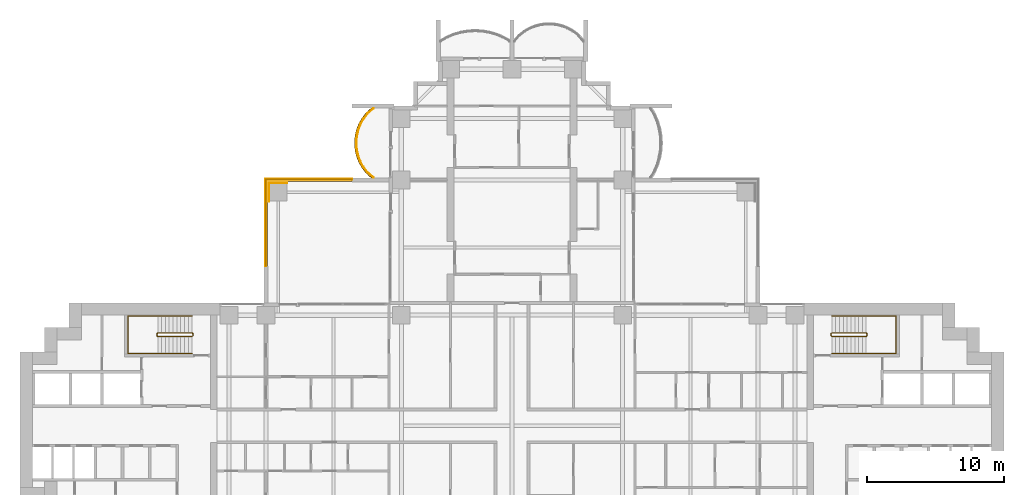
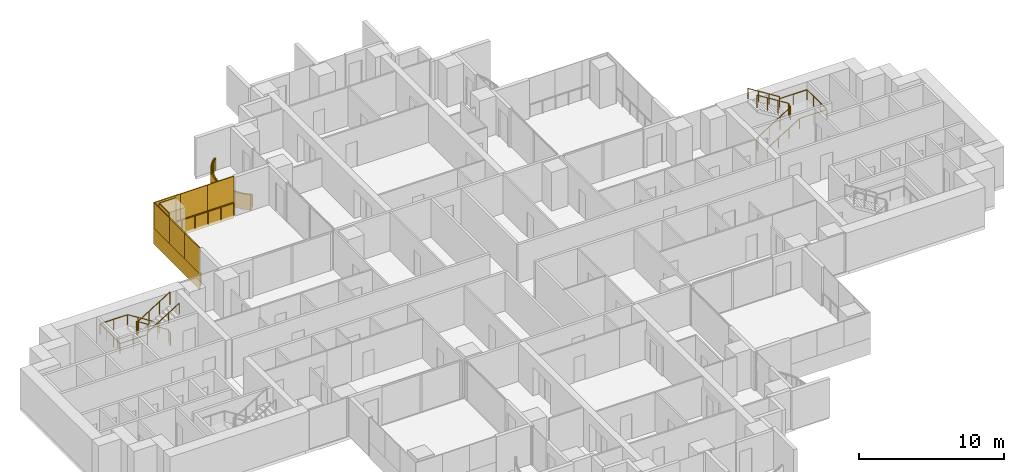
# One storey, part 19 of 20: 10 coverings, 6 railings.
"""IFC4 building model written with IfcOpenShell, lengths in metres."""

from ifc_helpers import new_model, si_unit, direction, frame, origin, origin_2d, place, context, subcontext, project, spatial, polyline, rectangle, outline, extrude, material, layer, layer_set, type_object, element, save


model = new_model("IFC4")

# Units and contexts
model_context = context("Model", 3, precision=1e-05, world=origin(), true_north=direction((0.0, 1.0)))
body_context = subcontext(model_context, "Body", "Model", "MODEL_VIEW")
ifc_project = project(units=[si_unit("LENGTHUNIT", "METRE"), si_unit("AREAUNIT", "SQUARE_METRE"), si_unit("VOLUMEUNIT", "CUBIC_METRE"), si_unit("PLANEANGLEUNIT", "RADIAN"), si_unit("MASSUNIT", "GRAM", prefix="KILO")], contexts=[model_context])

# Site, building, storey
site_placement = place(None, origin())
site = spatial("IfcSite", under=ifc_project, at=site_placement, CompositionType="ELEMENT")
building_placement = place(site_placement, origin())
building = spatial("IfcBuilding", under=site, at=building_placement, Name="Perihelion Cross Residences", CompositionType="ELEMENT")
storey_placement = place(building_placement, frame((0.0, 0.0, 78.5)))
storey = spatial("IfcBuildingStorey", under=building, at=storey_placement, Name="L17", CompositionType="ELEMENT", Elevation=78.5)

# Covering
ifc_material_1 = material(Name="Bronze anodised aluminium", Category="aluminium")
ifc_layer_1 = layer(ifc_material_1, 0.070068359375)
ifc_layer_set_1 = layer_set([ifc_layer_1], Name="Balcony fascia 1300")
covering_type_1 = type_object("IfcCoveringType", Name="Balcony fascia 1300", PredefinedType="CLADDING", material=ifc_layer_set_1)
covering_1_placement = place(storey_placement, frame((0.0, 0.0, -0.199951171875)))
element("IfcCovering", 1, at=covering_1_placement, inside=storey, type_object=covering_type_1, Name="Fascia BF1 L17 north side west bay 1", PredefinedType="CLADDING", context=body_context, shape_type="SweptSolid", body=[
    extrude(outline(polyline([(-10.674072265625, 22.90478515625), (-10.982666015625, 22.50390625), (-11.20654296875, 22.10302734375), (-11.364013671875, 21.7021484375), (-11.464599609375, 21.30126953125), (-11.513916015625, 20.900390625), (-11.513916015625, 20.49951171875), (-11.464599609375, 20.0986328125), (-11.364013671875, 19.69775390625), (-11.20654296875, 19.296875), (-10.982666015625, 18.89599609375), (-10.674072265625, 18.4951171875), (-10.302734375, 18.14990234375), (-10.199951171875, 18.14990234375), (-10.622314453125, 18.542236328125), (-10.924072265625, 18.9345703125), (-11.143310546875, 19.326904296875), (-11.29736328125, 19.71923828125), (-11.39599609375, 20.111572265625), (-11.444091796875, 20.50390625), (-11.444091796875, 20.896240234375), (-11.39599609375, 21.28857421875), (-11.29736328125, 21.6806640625), (-11.143310546875, 22.072998046875), (-10.924072265625, 22.46533203125), (-10.622314453125, 22.857666015625), (-10.199951171875, 23.25), (-10.302734375, 23.25), (-10.674072265625, 22.90478515625)])), origin(), (0.0, 0.0, 1.0), 1.300048828125),
])

# Railings
ifc_material_2 = material(Name="Bronze anodised aluminium", Category="aluminium")
railing_type_1 = type_object("IfcRailingType", Name="Balcony guard 1100", PredefinedType="GUARDRAIL", material=ifc_material_2)
railing_1_placement = place(storey_placement, frame((-10.139892578125, 23.22509765625, 0.0)))
element("IfcRailing", 2, at=railing_1_placement, inside=storey, type_object=railing_type_1, Name="Guard GU1 L17 north side west bay 1 balcony", PredefinedType="GUARDRAIL", context=body_context, shape_type="SweptSolid", body=[
    extrude(rectangle(XDim=0.048095703125, YDim=0.048095703125, at=origin_2d()), frame((0.0, 0.0, 1.076171875), z_axis=(-0.754464673757, -0.656340655493, 0.0), x_axis=(0.656340655493, -0.754464673757, 0.0)), (0.0, 0.0, 1.0), 0.559814453125),
    extrude(rectangle(XDim=0.048095703125, YDim=0.048095703125, at=origin_2d()), frame((-0.42236328125, -0.367431640625, 1.076171875), z_axis=(-0.60966308455, -0.792660660899, 0.0), x_axis=(0.792660660899, -0.60966308455, 0.0)), (0.0, 0.0, 1.0), 0.494873046875),
    extrude(rectangle(XDim=0.048095703125, YDim=0.048095703125, at=origin_2d()), frame((-0.72412109375, -0.759765625, 1.076171875), z_axis=(-0.487809182674, -0.872950285698, 0.0), x_axis=(0.872950285698, -0.487809182674, 0.0)), (0.0, 0.0, 1.0), 0.449462890625),
    extrude(rectangle(XDim=0.048095703125, YDim=0.048095703125, at=origin_2d()), frame((-0.943359375, -1.152099609375, 1.076171875), z_axis=(-0.365491079925, -0.930814842219, 0.0), x_axis=(0.930814842219, -0.365491079925, 0.0)), (0.0, 0.0, 1.0), 0.42138671875),
    extrude(rectangle(XDim=0.048095703125, YDim=0.048095703125, at=origin_2d()), frame((-1.097412109375, -1.54443359375, 1.076171875), z_axis=(-0.243956193074, -0.969786252666, 0.0), x_axis=(0.969786252666, -0.243956193074, 0.0)), (0.0, 0.0, 1.0), 0.404296875),
    extrude(rectangle(XDim=0.048095703125, YDim=0.048095703125, at=origin_2d()), frame((-1.196044921875, -1.9365234375, 1.076171875), z_axis=(-0.121677797999, -0.992569651699, 0.0), x_axis=(0.992569651699, -0.121677797999, 0.0)), (0.0, 0.0, 1.0), 0.395263671875),
    extrude(rectangle(XDim=0.048095703125, YDim=0.048095703125, at=origin_2d()), frame((-1.244140625, -2.328857421875, 1.076171875), z_axis=(0.0, -1.0, 0.0), x_axis=(1.0, 0.0, 0.0)), (0.0, 0.0, 1.0), 0.392333984375),
    extrude(rectangle(XDim=0.048095703125, YDim=0.048095703125, at=origin_2d()), frame((-1.244140625, -2.72119140625, 1.076171875), z_axis=(0.121677797999, -0.992569651699, 0.0), x_axis=(0.992569651699, 0.121677797999, 0.0)), (0.0, 0.0, 1.0), 0.395263671875),
    extrude(rectangle(XDim=0.048095703125, YDim=0.048095703125, at=origin_2d()), frame((-1.196044921875, -3.113525390625, 1.076171875), z_axis=(0.243813411509, -0.969822159145, 0.0), x_axis=(0.969822159145, 0.243813411509, 0.0)), (0.0, 0.0, 1.0), 0.404541015625),
    extrude(rectangle(XDim=0.048095703125, YDim=0.048095703125, at=origin_2d()), frame((-1.097412109375, -3.505859375, 1.076171875), z_axis=(0.365491079925, -0.930814842219, 0.0), x_axis=(0.930814842219, 0.365491079925, 0.0)), (0.0, 0.0, 1.0), 0.42138671875),
    extrude(rectangle(XDim=0.048095703125, YDim=0.048095703125, at=origin_2d()), frame((-0.943359375, -3.898193359375, 1.076171875), z_axis=(0.487809182674, -0.872950285698, 0.0), x_axis=(0.872950285698, 0.487809182674, 0.0)), (0.0, 0.0, 1.0), 0.449462890625),
    extrude(rectangle(XDim=0.048095703125, YDim=0.048095703125, at=origin_2d()), frame((-0.72412109375, -4.29052734375, 1.076171875), z_axis=(0.60966308455, -0.792660660899, 0.0), x_axis=(0.792660660899, 0.60966308455, 0.0)), (0.0, 0.0, 1.0), 0.494873046875),
    extrude(rectangle(XDim=0.048095703125, YDim=0.048095703125, at=origin_2d()), frame((-0.42236328125, -4.682861328125, 1.076171875), z_axis=(0.754680648599, -0.656092309534, 0.0), x_axis=(0.656092309534, 0.754680648599, 0.0)), (0.0, 0.0, 1.0), 0.5595703125),
    extrude(rectangle(XDim=0.0419921875, YDim=0.0419921875, at=origin_2d()), origin(), (0.0, 0.0, 1.0), 1.052001953125),
    extrude(rectangle(XDim=0.0419921875, YDim=0.0419921875, at=origin_2d()), frame((-0.42236328125, -0.367431640625, 0.0)), (0.0, 0.0, 1.0), 1.052001953125),
    extrude(rectangle(XDim=0.0419921875, YDim=0.0419921875, at=origin_2d()), frame((-0.72412109375, -0.759765625, 0.0)), (0.0, 0.0, 1.0), 1.052001953125),
    extrude(rectangle(XDim=0.0419921875, YDim=0.0419921875, at=origin_2d()), frame((-0.943359375, -1.152099609375, 0.0)), (0.0, 0.0, 1.0), 1.052001953125),
    extrude(rectangle(XDim=0.0419921875, YDim=0.0419921875, at=origin_2d()), frame((-1.097412109375, -1.54443359375, 0.0)), (0.0, 0.0, 1.0), 1.052001953125),
    extrude(rectangle(XDim=0.0419921875, YDim=0.0419921875, at=origin_2d()), frame((-1.196044921875, -1.9365234375, 0.0)), (0.0, 0.0, 1.0), 1.052001953125),
    extrude(rectangle(XDim=0.0419921875, YDim=0.0419921875, at=origin_2d()), frame((-1.244140625, -2.328857421875, 0.0)), (0.0, 0.0, 1.0), 1.052001953125),
    extrude(rectangle(XDim=0.0419921875, YDim=0.0419921875, at=origin_2d()), frame((-1.244140625, -2.72119140625, 0.0)), (0.0, 0.0, 1.0), 1.052001953125),
    extrude(rectangle(XDim=0.0419921875, YDim=0.0419921875, at=origin_2d()), frame((-1.196044921875, -3.113525390625, 0.0)), (0.0, 0.0, 1.0), 1.052001953125),
    extrude(rectangle(XDim=0.0419921875, YDim=0.0419921875, at=origin_2d()), frame((-1.097412109375, -3.505859375, 0.0)), (0.0, 0.0, 1.0), 1.052001953125),
    extrude(rectangle(XDim=0.0419921875, YDim=0.0419921875, at=origin_2d()), frame((-0.943359375, -3.898193359375, 0.0)), (0.0, 0.0, 1.0), 1.052001953125),
    extrude(rectangle(XDim=0.0419921875, YDim=0.0419921875, at=origin_2d()), frame((-0.72412109375, -4.29052734375, 0.0)), (0.0, 0.0, 1.0), 1.052001953125),
    extrude(rectangle(XDim=0.0419921875, YDim=0.0419921875, at=origin_2d()), frame((-0.42236328125, -4.682861328125, 0.0)), (0.0, 0.0, 1.0), 1.052001953125),
    extrude(rectangle(XDim=0.0419921875, YDim=0.0419921875, at=origin_2d()), frame((0.0, -5.050048828125, 0.0)), (0.0, 0.0, 1.0), 1.052001953125),
])
railing_2_placement = place(storey_placement, frame((-17.93994140625, 11.739990234375, 0.0)))
element("IfcRailing", 3, at=railing_2_placement, inside=storey, type_object=railing_type_1, Name="Guard GU1 L17 pocket north-west 1", PredefinedType="GUARDRAIL", context=body_context, shape_type="SweptSolid", body=[
    extrude(rectangle(XDim=0.048095703125, YDim=0.048095703125, at=origin_2d()), frame((0.0, 0.0, 1.076171875), z_axis=(0.0, 1.0, 0.0), x_axis=(-1.0, 0.0, 0.0)), (0.0, 0.0, 1.0), 6.199951171875),
    extrude(rectangle(XDim=0.048095703125, YDim=0.048095703125, at=origin_2d()), frame((0.0, 6.199951171875, 1.076171875), z_axis=(1.0, 0.0, 0.0), x_axis=(0.0, 1.0, 0.0)), (0.0, 0.0, 1.0), 6.199951171875),
    extrude(rectangle(XDim=0.0419921875, YDim=0.0419921875, at=origin_2d()), origin(), (0.0, 0.0, 1.0), 1.052001953125),
    extrude(rectangle(XDim=0.0419921875, YDim=0.0419921875, at=origin_2d()), frame((0.0, 1.033203125, 0.0)), (0.0, 0.0, 1.0), 1.052001953125),
    extrude(rectangle(XDim=0.0419921875, YDim=0.0419921875, at=origin_2d()), frame((0.0, 2.066650390625, 0.0)), (0.0, 0.0, 1.0), 1.052001953125),
    extrude(rectangle(XDim=0.0419921875, YDim=0.0419921875, at=origin_2d()), frame((0.0, 3.10009765625, 0.0)), (0.0, 0.0, 1.0), 1.052001953125),
    extrude(rectangle(XDim=0.0419921875, YDim=0.0419921875, at=origin_2d()), frame((0.0, 4.13330078125, 0.0)), (0.0, 0.0, 1.0), 1.052001953125),
    extrude(rectangle(XDim=0.0419921875, YDim=0.0419921875, at=origin_2d()), frame((0.0, 5.16650390625, 0.0)), (0.0, 0.0, 1.0), 1.052001953125),
    extrude(rectangle(XDim=0.0419921875, YDim=0.0419921875, at=origin_2d()), frame((0.0, 6.199951171875, 0.0)), (0.0, 0.0, 1.0), 1.052001953125),
    extrude(rectangle(XDim=0.0419921875, YDim=0.0419921875, at=origin_2d()), frame((1.033203125, 6.199951171875, 0.0)), (0.0, 0.0, 1.0), 1.052001953125),
    extrude(rectangle(XDim=0.0419921875, YDim=0.0419921875, at=origin_2d()), frame((2.066650390625, 6.199951171875, 0.0)), (0.0, 0.0, 1.0), 1.052001953125),
    extrude(rectangle(XDim=0.0419921875, YDim=0.0419921875, at=origin_2d()), frame((3.10009765625, 6.199951171875, 0.0)), (0.0, 0.0, 1.0), 1.052001953125),
    extrude(rectangle(XDim=0.0419921875, YDim=0.0419921875, at=origin_2d()), frame((4.13330078125, 6.199951171875, 0.0)), (0.0, 0.0, 1.0), 1.052001953125),
    extrude(rectangle(XDim=0.0419921875, YDim=0.0419921875, at=origin_2d()), frame((5.16650390625, 6.199951171875, 0.0)), (0.0, 0.0, 1.0), 1.052001953125),
    extrude(rectangle(XDim=0.0419921875, YDim=0.0419921875, at=origin_2d()), frame((6.199951171875, 6.199951171875, 0.0)), (0.0, 0.0, 1.0), 1.052001953125),
])

# Coverings
ifc_material_3 = material(Name="Bronze anodised aluminium", Category="aluminium")
ifc_layer_2 = layer(ifc_material_3, 0.0400390625)
ifc_layer_set_2 = layer_set([ifc_layer_2], Name="Bronze column casing 40")
covering_type_2 = type_object("IfcCoveringType", Name="Bronze column casing 40", PredefinedType="CLADDING", material=ifc_layer_set_2)
covering_2_placement = place(storey_placement, frame((-17.77001953125, 17.10009765625, -0.25), z_axis=(0.0, 0.0, 1.0), x_axis=(1.0, 0.0, 0.0)))
element("IfcCovering", 4, at=covering_2_placement, inside=storey, type_object=covering_type_2, Name="Cladding CC1 L17 casing east-west no. 2", PredefinedType="CLADDING", context=body_context, shape_type="SweptSolid", body=[
    extrude(rectangle(XDim=0.0400390625, YDim=1.3798828125, at=origin_2d()), origin(), (0.0, 0.0, 1.0), 3.5),
])
covering_3_placement = place(storey_placement, frame((-17.10009765625, 17.77001953125, -0.25), z_axis=(0.0, 0.0, 1.0), x_axis=(1.0, 0.0, 0.0)))
element("IfcCovering", 5, at=covering_3_placement, inside=storey, type_object=covering_type_2, Name="Cladding CC1 L17 casing north-south no. 2", PredefinedType="CLADDING", context=body_context, shape_type="SweptSolid", body=[
    extrude(rectangle(XDim=1.300048828125, YDim=0.0400390625, at=origin_2d()), origin(), (0.0, 0.0, 1.0), 3.5),
])
ifc_material_4 = material(Name="Bronze anodised aluminium", Category="aluminium")
ifc_layer_3 = layer(ifc_material_4, 0.070068359375)
ifc_layer_set_3 = layer_set([ifc_layer_3], Name="Pocket fascia 1350")
covering_type_3 = type_object("IfcCoveringType", Name="Pocket fascia 1350", PredefinedType="CLADDING", material=ifc_layer_set_3)
covering_4_placement = place(storey_placement, frame((0.0, 0.0, -0.25)))
element("IfcCovering", 6, at=covering_4_placement, inside=storey, type_object=covering_type_3, Name="Fascia BF2 L17 pocket north-west 3", PredefinedType="CLADDING", context=body_context, shape_type="SweptSolid", body=[
    extrude(outline(polyline([(-18.070068359375, 18.070068359375), (-18.070068359375, 11.699951171875), (-18.0, 11.699951171875), (-18.0, 18.0), (-11.699951171875, 18.0), (-11.699951171875, 18.070068359375), (-18.070068359375, 18.070068359375)])), origin(), (0.0, 0.0, 1.0), 1.35009765625),
])
ifc_material_5 = material(Name="Bronze perforated aluminium", Category="aluminium")
ifc_layer_4 = layer(ifc_material_5, 0.070068359375)
ifc_layer_set_4 = layer_set([ifc_layer_4], Name="Pocket solar screen, bronze perforated")
covering_type_4 = type_object("IfcCoveringType", Name="Pocket solar screen, bronze perforated", PredefinedType="CLADDING", material=ifc_layer_set_4)
covering_5_placement = place(storey_placement, frame((0.0, 0.0, 1.10009765625)))
element("IfcCovering", 7, at=covering_5_placement, inside=storey, type_object=covering_type_4, Name="Solar screen PS1 L17 pocket north-west no. 1", PredefinedType="CLADDING", context=body_context, shape_type="SweptSolid", body=[
    extrude(outline(polyline([(-18.0, 11.699951171875), (-18.0, 13.800048828125), (-18.070068359375, 13.800048828125), (-18.070068359375, 11.699951171875), (-18.0, 11.699951171875)])), origin(), (0.0, 0.0, 1.0), 2.14990234375),
])
covering_6_placement = place(storey_placement, frame((0.0, 0.0, 1.10009765625)))
element("IfcCovering", 8, at=covering_6_placement, inside=storey, type_object=covering_type_4, Name="Solar screen PS1 L17 pocket north-west no. 2", PredefinedType="CLADDING", context=body_context, shape_type="SweptSolid", body=[
    extrude(outline(polyline([(-18.0, 13.800048828125), (-18.0, 15.89990234375), (-18.070068359375, 15.89990234375), (-18.070068359375, 13.800048828125), (-18.0, 13.800048828125)])), origin(), (0.0, 0.0, 1.0), 2.14990234375),
])
covering_7_placement = place(storey_placement, frame((0.0, 0.0, 1.10009765625)))
element("IfcCovering", 9, at=covering_7_placement, inside=storey, type_object=covering_type_4, Name="Solar screen PS1 L17 pocket north-west no. 3", PredefinedType="CLADDING", context=body_context, shape_type="SweptSolid", body=[
    extrude(outline(polyline([(-18.0, 15.89990234375), (-18.0, 18.0), (-18.070068359375, 18.0), (-18.070068359375, 15.89990234375), (-18.0, 15.89990234375)])), origin(), (0.0, 0.0, 1.0), 2.14990234375),
])
covering_8_placement = place(storey_placement, frame((0.0, 0.0, 1.10009765625)))
element("IfcCovering", 10, at=covering_8_placement, inside=storey, type_object=covering_type_4, Name="Solar screen PS1 L17 pocket north-west no. 4", PredefinedType="CLADDING", context=body_context, shape_type="SweptSolid", body=[
    extrude(outline(polyline([(-15.94677734375, 18.0), (-15.94677734375, 18.070068359375), (-18.070068359375, 18.070068359375), (-18.070068359375, 18.0), (-15.94677734375, 18.0)])), origin(), (0.0, 0.0, 1.0), 2.14990234375),
])
covering_9_placement = place(storey_placement, frame((0.0, 0.0, 1.10009765625)))
element("IfcCovering", 11, at=covering_9_placement, inside=storey, type_object=covering_type_4, Name="Solar screen PS1 L17 pocket north-west no. 5", PredefinedType="CLADDING", context=body_context, shape_type="SweptSolid", body=[
    extrude(outline(polyline([(-13.8232421875, 18.0), (-13.8232421875, 18.070068359375), (-15.94677734375, 18.070068359375), (-15.94677734375, 18.0), (-13.8232421875, 18.0)])), origin(), (0.0, 0.0, 1.0), 2.14990234375),
])
covering_10_placement = place(storey_placement, frame((0.0, 0.0, 1.10009765625)))
element("IfcCovering", 12, at=covering_10_placement, inside=storey, type_object=covering_type_4, Name="Solar screen PS1 L17 pocket north-west no. 6", PredefinedType="CLADDING", context=body_context, shape_type="SweptSolid", body=[
    extrude(outline(polyline([(-11.699951171875, 18.0), (-11.699951171875, 18.070068359375), (-13.8232421875, 18.070068359375), (-13.8232421875, 18.0), (-11.699951171875, 18.0)])), origin(), (0.0, 0.0, 1.0), 2.14990234375),
])

# Railings
ifc_material_6 = material(Name="Stainless steel", Category="steel")
railing_type_2 = type_object("IfcRailingType", Name="Stair guard 1100", PredefinedType="GUARDRAIL", material=ifc_material_6)
railing_3_placement = place(storey_placement, frame((23.35009765625, 6.75, 0.0)))
element("IfcRailing", 13, at=railing_3_placement, inside=storey, type_object=railing_type_2, Name="L17 ST-E1 stair guard 1", PredefinedType="GUARDRAIL", context=body_context, shape_type="SweptSolid", body=[
    extrude(rectangle(XDim=0.048095703125, YDim=0.048095703125, at=origin_2d()), frame((0.0, 0.0, 1.076171875), z_axis=(0.0, -1.0, 0.0), x_axis=(1.0, 0.0, 0.0)), (0.0, 0.0, 1.0), 0.14990234375),
    extrude(rectangle(XDim=0.048095703125, YDim=0.048095703125, at=origin_2d()), frame((0.0, -0.14990234375, 1.076171875), z_axis=(0.263862480399, -0.265155923931, 0.927399011991), x_axis=(0.708833529934, 0.705375805398, 0.0)), (0.0, 0.0, 1.0), 0.188720703125),
    extrude(rectangle(XDim=0.048095703125, YDim=0.048095703125, at=origin_2d()), frame((0.0498046875, -0.199951171875, 1.2509765625), z_axis=(0.848007534815, 0.0, 0.529984170421), x_axis=(0.0, 1.0, 0.0)), (0.0, 0.0, 1.0), 2.9716796875),
    extrude(rectangle(XDim=0.048095703125, YDim=0.048095703125, at=origin_2d()), frame((2.56982421875, -0.199951171875, 2.826171875), z_axis=(0.707106781187, 0.707106781187, 0.0), x_axis=(-0.707106781187, 0.707106781187, 0.0)), (0.0, 0.0, 1.0), 0.07080078125),
    extrude(rectangle(XDim=0.048095703125, YDim=0.048095703125, at=origin_2d()), frame((2.619873046875, -0.14990234375, 2.826171875), z_axis=(0.0, 1.0, 0.0), x_axis=(-1.0, 0.0, 0.0)), (0.0, 0.0, 1.0), 0.14990234375),
    extrude(rectangle(XDim=0.048095703125, YDim=0.048095703125, at=origin_2d()), frame((2.619873046875, 0.0, 2.826171875), z_axis=(-0.265065253269, 0.265065253269, 0.927081885822), x_axis=(-0.707106781187, -0.707106781187, 0.0)), (0.0, 0.0, 1.0), 0.188720703125),
    extrude(rectangle(XDim=0.048095703125, YDim=0.048095703125, at=origin_2d()), frame((2.56982421875, 0.050048828125, 3.0009765625), z_axis=(-0.848007534815, 0.0, 0.529984170421), x_axis=(0.0, -1.0, 0.0)), (0.0, 0.0, 1.0), 2.9716796875),
    extrude(rectangle(XDim=0.0419921875, YDim=0.0419921875, at=origin_2d()), origin(), (0.0, 0.0, 1.0), 1.052001953125),
    extrude(rectangle(XDim=0.0419921875, YDim=0.0419921875, at=origin_2d()), frame((0.0, -0.14990234375, 0.0)), (0.0, 0.0, 1.0), 1.052001953125),
    extrude(rectangle(XDim=0.0419921875, YDim=0.0419921875, at=origin_2d()), frame((0.0498046875, -0.199951171875, 0.175048828125)), (0.0, 0.0, 1.0), 1.052001953125),
    extrude(rectangle(XDim=0.0419921875, YDim=0.0419921875, at=origin_2d()), frame((0.889892578125, -0.199951171875, 0.699951171875)), (0.0, 0.0, 1.0), 1.052001953125),
    extrude(rectangle(XDim=0.0419921875, YDim=0.0419921875, at=origin_2d()), frame((1.729736328125, -0.199951171875, 1.22509765625)), (0.0, 0.0, 1.0), 1.052001953125),
    extrude(rectangle(XDim=0.0419921875, YDim=0.0419921875, at=origin_2d()), frame((2.56982421875, -0.199951171875, 1.75)), (0.0, 0.0, 1.0), 1.052001953125),
    extrude(rectangle(XDim=0.0419921875, YDim=0.0419921875, at=origin_2d()), frame((2.619873046875, -0.14990234375, 1.75)), (0.0, 0.0, 1.0), 1.052001953125),
    extrude(rectangle(XDim=0.0419921875, YDim=0.0419921875, at=origin_2d()), frame((2.619873046875, 0.0, 1.75)), (0.0, 0.0, 1.0), 1.052001953125),
    extrude(rectangle(XDim=0.0419921875, YDim=0.0419921875, at=origin_2d()), frame((2.56982421875, 0.050048828125, 1.925048828125)), (0.0, 0.0, 1.0), 1.052001953125),
    extrude(rectangle(XDim=0.0419921875, YDim=0.0419921875, at=origin_2d()), frame((1.729736328125, 0.050048828125, 2.449951171875)), (0.0, 0.0, 1.0), 1.052001953125),
    extrude(rectangle(XDim=0.0419921875, YDim=0.0419921875, at=origin_2d()), frame((0.889892578125, 0.050048828125, 2.97509765625)), (0.0, 0.0, 1.0), 1.052001953125),
    extrude(rectangle(XDim=0.0419921875, YDim=0.0419921875, at=origin_2d()), frame((0.0498046875, 0.050048828125, 3.5)), (0.0, 0.0, 1.0), 1.052001953125),
])
railing_4_placement = place(storey_placement, frame((-23.35009765625, 6.60009765625, 0.0)))
element("IfcRailing", 14, at=railing_4_placement, inside=storey, type_object=railing_type_2, Name="L17 ST-W1 stair guard 1", PredefinedType="GUARDRAIL", context=body_context, shape_type="SweptSolid", body=[
    extrude(rectangle(XDim=0.048095703125, YDim=0.048095703125, at=origin_2d()), frame((0.0, 0.0, 1.076171875), z_axis=(0.0, 1.0, 0.0), x_axis=(-1.0, 0.0, 0.0)), (0.0, 0.0, 1.0), 0.14990234375),
    extrude(rectangle(XDim=0.048095703125, YDim=0.048095703125, at=origin_2d()), frame((0.0, 0.14990234375, 1.076171875), z_axis=(-0.263862480399, 0.265155923931, 0.927399011991), x_axis=(-0.708833529934, -0.705375805398, 0.0)), (0.0, 0.0, 1.0), 0.188720703125),
    extrude(rectangle(XDim=0.048095703125, YDim=0.048095703125, at=origin_2d()), frame((-0.0498046875, 0.199951171875, 1.2509765625), z_axis=(-0.848007534815, 0.0, 0.529984170421), x_axis=(0.0, -1.0, 0.0)), (0.0, 0.0, 1.0), 2.9716796875),
    extrude(rectangle(XDim=0.048095703125, YDim=0.048095703125, at=origin_2d()), frame((-2.56982421875, 0.199951171875, 2.826171875), z_axis=(-0.707106781187, -0.707106781187, 0.0), x_axis=(0.707106781187, -0.707106781187, 0.0)), (0.0, 0.0, 1.0), 0.07080078125),
    extrude(rectangle(XDim=0.048095703125, YDim=0.048095703125, at=origin_2d()), frame((-2.619873046875, 0.14990234375, 2.826171875), z_axis=(0.0, -1.0, 0.0), x_axis=(1.0, 0.0, 0.0)), (0.0, 0.0, 1.0), 0.14990234375),
    extrude(rectangle(XDim=0.048095703125, YDim=0.048095703125, at=origin_2d()), frame((-2.619873046875, 0.0, 2.826171875), z_axis=(0.265065253269, -0.265065253269, 0.927081885822), x_axis=(0.707106781187, 0.707106781187, 0.0)), (0.0, 0.0, 1.0), 0.188720703125),
    extrude(rectangle(XDim=0.048095703125, YDim=0.048095703125, at=origin_2d()), frame((-2.56982421875, -0.050048828125, 3.0009765625), z_axis=(0.848007534815, 0.0, 0.529984170421), x_axis=(0.0, 1.0, 0.0)), (0.0, 0.0, 1.0), 2.9716796875),
    extrude(rectangle(XDim=0.0419921875, YDim=0.0419921875, at=origin_2d()), origin(), (0.0, 0.0, 1.0), 1.052001953125),
    extrude(rectangle(XDim=0.0419921875, YDim=0.0419921875, at=origin_2d()), frame((0.0, 0.14990234375, 0.0)), (0.0, 0.0, 1.0), 1.052001953125),
    extrude(rectangle(XDim=0.0419921875, YDim=0.0419921875, at=origin_2d()), frame((-0.0498046875, 0.199951171875, 0.175048828125)), (0.0, 0.0, 1.0), 1.052001953125),
    extrude(rectangle(XDim=0.0419921875, YDim=0.0419921875, at=origin_2d()), frame((-0.889892578125, 0.199951171875, 0.699951171875)), (0.0, 0.0, 1.0), 1.052001953125),
    extrude(rectangle(XDim=0.0419921875, YDim=0.0419921875, at=origin_2d()), frame((-1.729736328125, 0.199951171875, 1.22509765625)), (0.0, 0.0, 1.0), 1.052001953125),
    extrude(rectangle(XDim=0.0419921875, YDim=0.0419921875, at=origin_2d()), frame((-2.56982421875, 0.199951171875, 1.75)), (0.0, 0.0, 1.0), 1.052001953125),
    extrude(rectangle(XDim=0.0419921875, YDim=0.0419921875, at=origin_2d()), frame((-2.619873046875, 0.14990234375, 1.75)), (0.0, 0.0, 1.0), 1.052001953125),
    extrude(rectangle(XDim=0.0419921875, YDim=0.0419921875, at=origin_2d()), frame((-2.619873046875, 0.0, 1.75)), (0.0, 0.0, 1.0), 1.052001953125),
    extrude(rectangle(XDim=0.0419921875, YDim=0.0419921875, at=origin_2d()), frame((-2.56982421875, -0.050048828125, 1.925048828125)), (0.0, 0.0, 1.0), 1.052001953125),
    extrude(rectangle(XDim=0.0419921875, YDim=0.0419921875, at=origin_2d()), frame((-1.729736328125, -0.050048828125, 2.449951171875)), (0.0, 0.0, 1.0), 1.052001953125),
    extrude(rectangle(XDim=0.0419921875, YDim=0.0419921875, at=origin_2d()), frame((-0.889892578125, -0.050048828125, 2.97509765625)), (0.0, 0.0, 1.0), 1.052001953125),
    extrude(rectangle(XDim=0.0419921875, YDim=0.0419921875, at=origin_2d()), frame((-0.0498046875, -0.050048828125, 3.5)), (0.0, 0.0, 1.0), 1.052001953125),
])
ifc_material_7 = material(Name="Stainless steel", Category="steel")
railing_type_3 = type_object("IfcRailingType", Name="Stair handrail 900", PredefinedType="HANDRAIL", material=ifc_material_7)
railing_5_placement = place(storey_placement, frame((23.39990234375, 5.300048828125, 0.175048828125)))
element("IfcRailing", 15, at=railing_5_placement, inside=storey, type_object=railing_type_3, Name="L17 ST-E1 stair handrail 1", PredefinedType="HANDRAIL", context=body_context, shape_type="SweptSolid", body=[
    extrude(rectangle(XDim=0.048095703125, YDim=0.048095703125, at=origin_2d()), frame((0.0, 0.0, 0.8759765625), z_axis=(0.848007534815, 0.0, 0.529984170421), x_axis=(0.0, 1.0, 0.0)), (0.0, 0.0, 1.0), 2.9716796875),
    extrude(rectangle(XDim=0.048095703125, YDim=0.048095703125, at=origin_2d()), frame((2.52001953125, 0.0, 2.45068359375), z_axis=(1.0, 0.0, 0.0), x_axis=(0.0, 1.0, 0.0)), (0.0, 0.0, 1.0), 2.18017578125),
    extrude(rectangle(XDim=0.048095703125, YDim=0.048095703125, at=origin_2d()), frame((4.7001953125, 0.0, 2.45068359375), z_axis=(0.0, 1.0, 0.0), x_axis=(-1.0, 0.0, 0.0)), (0.0, 0.0, 1.0), 2.75),
    extrude(rectangle(XDim=0.048095703125, YDim=0.048095703125, at=origin_2d()), frame((4.7001953125, 2.75, 2.45068359375), z_axis=(-1.0, 0.0, 0.0), x_axis=(0.0, -1.0, 0.0)), (0.0, 0.0, 1.0), 2.18017578125),
    extrude(rectangle(XDim=0.048095703125, YDim=0.048095703125, at=origin_2d()), frame((2.52001953125, 2.75, 2.45068359375), z_axis=(0.0, 0.0, 1.0), x_axis=(1.0, 0.0, 0.0)), (0.0, 0.0, 1.0), 0.175048828125),
    extrude(rectangle(XDim=0.048095703125, YDim=0.048095703125, at=origin_2d()), frame((2.52001953125, 2.75, 2.6259765625), z_axis=(-0.848007534815, 0.0, 0.529984170421), x_axis=(0.0, -1.0, 0.0)), (0.0, 0.0, 1.0), 2.9716796875),
    extrude(rectangle(XDim=0.0419921875, YDim=0.0419921875, at=origin_2d()), origin(), (0.0, 0.0, 1.0), 0.851806640625),
    extrude(rectangle(XDim=0.0419921875, YDim=0.0419921875, at=origin_2d()), frame((0.840087890625, 0.0, 0.52490234375)), (0.0, 0.0, 1.0), 0.851806640625),
    extrude(rectangle(XDim=0.0419921875, YDim=0.0419921875, at=origin_2d()), frame((1.679931640625, 0.0, 1.050048828125)), (0.0, 0.0, 1.0), 0.851806640625),
    extrude(rectangle(XDim=0.0419921875, YDim=0.0419921875, at=origin_2d()), frame((2.52001953125, 0.0, 1.574951171875)), (0.0, 0.0, 1.0), 0.851806640625),
    extrude(rectangle(XDim=0.0419921875, YDim=0.0419921875, at=origin_2d()), frame((3.610107421875, 0.0, 1.574951171875)), (0.0, 0.0, 1.0), 0.851806640625),
    extrude(rectangle(XDim=0.0419921875, YDim=0.0419921875, at=origin_2d()), frame((4.7001953125, 0.0, 1.574951171875)), (0.0, 0.0, 1.0), 0.851806640625),
    extrude(rectangle(XDim=0.0419921875, YDim=0.0419921875, at=origin_2d()), frame((4.7001953125, 0.916748046875, 1.574951171875)), (0.0, 0.0, 1.0), 0.851806640625),
    extrude(rectangle(XDim=0.0419921875, YDim=0.0419921875, at=origin_2d()), frame((4.7001953125, 1.833251953125, 1.574951171875)), (0.0, 0.0, 1.0), 0.851806640625),
    extrude(rectangle(XDim=0.0419921875, YDim=0.0419921875, at=origin_2d()), frame((4.7001953125, 2.75, 1.574951171875)), (0.0, 0.0, 1.0), 0.851806640625),
    extrude(rectangle(XDim=0.0419921875, YDim=0.0419921875, at=origin_2d()), frame((3.610107421875, 2.75, 1.574951171875)), (0.0, 0.0, 1.0), 0.851806640625),
    extrude(rectangle(XDim=0.0419921875, YDim=0.0419921875, at=origin_2d()), frame((2.52001953125, 2.75, 1.574951171875)), (0.0, 0.0, 1.0), 0.851806640625),
    extrude(rectangle(XDim=0.0419921875, YDim=0.0419921875, at=origin_2d()), frame((2.52001953125, 2.75, 1.75)), (0.0, 0.0, 1.0), 0.851806640625),
    extrude(rectangle(XDim=0.0419921875, YDim=0.0419921875, at=origin_2d()), frame((1.679931640625, 2.75, 2.27490234375)), (0.0, 0.0, 1.0), 0.851806640625),
    extrude(rectangle(XDim=0.0419921875, YDim=0.0419921875, at=origin_2d()), frame((0.840087890625, 2.75, 2.800048828125)), (0.0, 0.0, 1.0), 0.851806640625),
    extrude(rectangle(XDim=0.0419921875, YDim=0.0419921875, at=origin_2d()), frame((0.0, 2.75, 3.324951171875)), (0.0, 0.0, 1.0), 0.851806640625),
])
railing_6_placement = place(storey_placement, frame((-23.39990234375, 8.050048828125, 0.175048828125)))
element("IfcRailing", 16, at=railing_6_placement, inside=storey, type_object=railing_type_3, Name="L17 ST-W1 stair handrail 1", PredefinedType="HANDRAIL", context=body_context, shape_type="SweptSolid", body=[
    extrude(rectangle(XDim=0.048095703125, YDim=0.048095703125, at=origin_2d()), frame((0.0, 0.0, 0.8759765625), z_axis=(-0.848007534815, 0.0, 0.529984170421), x_axis=(0.0, -1.0, 0.0)), (0.0, 0.0, 1.0), 2.9716796875),
    extrude(rectangle(XDim=0.048095703125, YDim=0.048095703125, at=origin_2d()), frame((-2.52001953125, 0.0, 2.45068359375), z_axis=(-1.0, 0.0, 0.0), x_axis=(0.0, -1.0, 0.0)), (0.0, 0.0, 1.0), 2.18017578125),
    extrude(rectangle(XDim=0.048095703125, YDim=0.048095703125, at=origin_2d()), frame((-4.7001953125, 0.0, 2.45068359375), z_axis=(0.0, -1.0, 0.0), x_axis=(1.0, 0.0, 0.0)), (0.0, 0.0, 1.0), 2.75),
    extrude(rectangle(XDim=0.048095703125, YDim=0.048095703125, at=origin_2d()), frame((-4.7001953125, -2.75, 2.45068359375), z_axis=(1.0, 0.0, 0.0), x_axis=(0.0, 1.0, 0.0)), (0.0, 0.0, 1.0), 2.18017578125),
    extrude(rectangle(XDim=0.048095703125, YDim=0.048095703125, at=origin_2d()), frame((-2.52001953125, -2.75, 2.45068359375), z_axis=(0.0, 0.0, 1.0), x_axis=(1.0, 0.0, 0.0)), (0.0, 0.0, 1.0), 0.175048828125),
    extrude(rectangle(XDim=0.048095703125, YDim=0.048095703125, at=origin_2d()), frame((-2.52001953125, -2.75, 2.6259765625), z_axis=(0.848007534815, 0.0, 0.529984170421), x_axis=(0.0, 1.0, 0.0)), (0.0, 0.0, 1.0), 2.9716796875),
    extrude(rectangle(XDim=0.0419921875, YDim=0.0419921875, at=origin_2d()), origin(), (0.0, 0.0, 1.0), 0.851806640625),
    extrude(rectangle(XDim=0.0419921875, YDim=0.0419921875, at=origin_2d()), frame((-0.840087890625, 0.0, 0.52490234375)), (0.0, 0.0, 1.0), 0.851806640625),
    extrude(rectangle(XDim=0.0419921875, YDim=0.0419921875, at=origin_2d()), frame((-1.679931640625, 0.0, 1.050048828125)), (0.0, 0.0, 1.0), 0.851806640625),
    extrude(rectangle(XDim=0.0419921875, YDim=0.0419921875, at=origin_2d()), frame((-2.52001953125, 0.0, 1.574951171875)), (0.0, 0.0, 1.0), 0.851806640625),
    extrude(rectangle(XDim=0.0419921875, YDim=0.0419921875, at=origin_2d()), frame((-3.610107421875, 0.0, 1.574951171875)), (0.0, 0.0, 1.0), 0.851806640625),
    extrude(rectangle(XDim=0.0419921875, YDim=0.0419921875, at=origin_2d()), frame((-4.7001953125, 0.0, 1.574951171875)), (0.0, 0.0, 1.0), 0.851806640625),
    extrude(rectangle(XDim=0.0419921875, YDim=0.0419921875, at=origin_2d()), frame((-4.7001953125, -0.916748046875, 1.574951171875)), (0.0, 0.0, 1.0), 0.851806640625),
    extrude(rectangle(XDim=0.0419921875, YDim=0.0419921875, at=origin_2d()), frame((-4.7001953125, -1.833251953125, 1.574951171875)), (0.0, 0.0, 1.0), 0.851806640625),
    extrude(rectangle(XDim=0.0419921875, YDim=0.0419921875, at=origin_2d()), frame((-4.7001953125, -2.75, 1.574951171875)), (0.0, 0.0, 1.0), 0.851806640625),
    extrude(rectangle(XDim=0.0419921875, YDim=0.0419921875, at=origin_2d()), frame((-3.610107421875, -2.75, 1.574951171875)), (0.0, 0.0, 1.0), 0.851806640625),
    extrude(rectangle(XDim=0.0419921875, YDim=0.0419921875, at=origin_2d()), frame((-2.52001953125, -2.75, 1.574951171875)), (0.0, 0.0, 1.0), 0.851806640625),
    extrude(rectangle(XDim=0.0419921875, YDim=0.0419921875, at=origin_2d()), frame((-2.52001953125, -2.75, 1.75)), (0.0, 0.0, 1.0), 0.851806640625),
    extrude(rectangle(XDim=0.0419921875, YDim=0.0419921875, at=origin_2d()), frame((-1.679931640625, -2.75, 2.27490234375)), (0.0, 0.0, 1.0), 0.851806640625),
    extrude(rectangle(XDim=0.0419921875, YDim=0.0419921875, at=origin_2d()), frame((-0.840087890625, -2.75, 2.800048828125)), (0.0, 0.0, 1.0), 0.851806640625),
    extrude(rectangle(XDim=0.0419921875, YDim=0.0419921875, at=origin_2d()), frame((0.0, -2.75, 3.324951171875)), (0.0, 0.0, 1.0), 0.851806640625),
])

save(model, "model.ifc")
